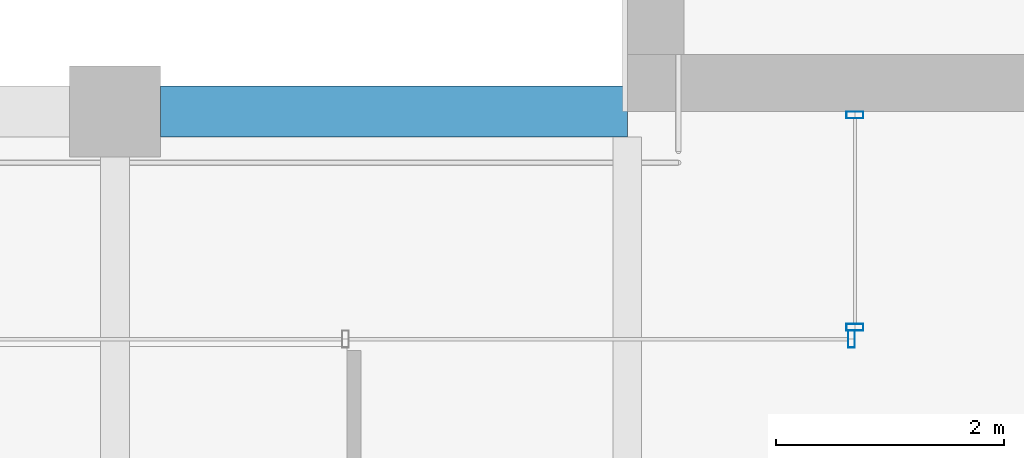
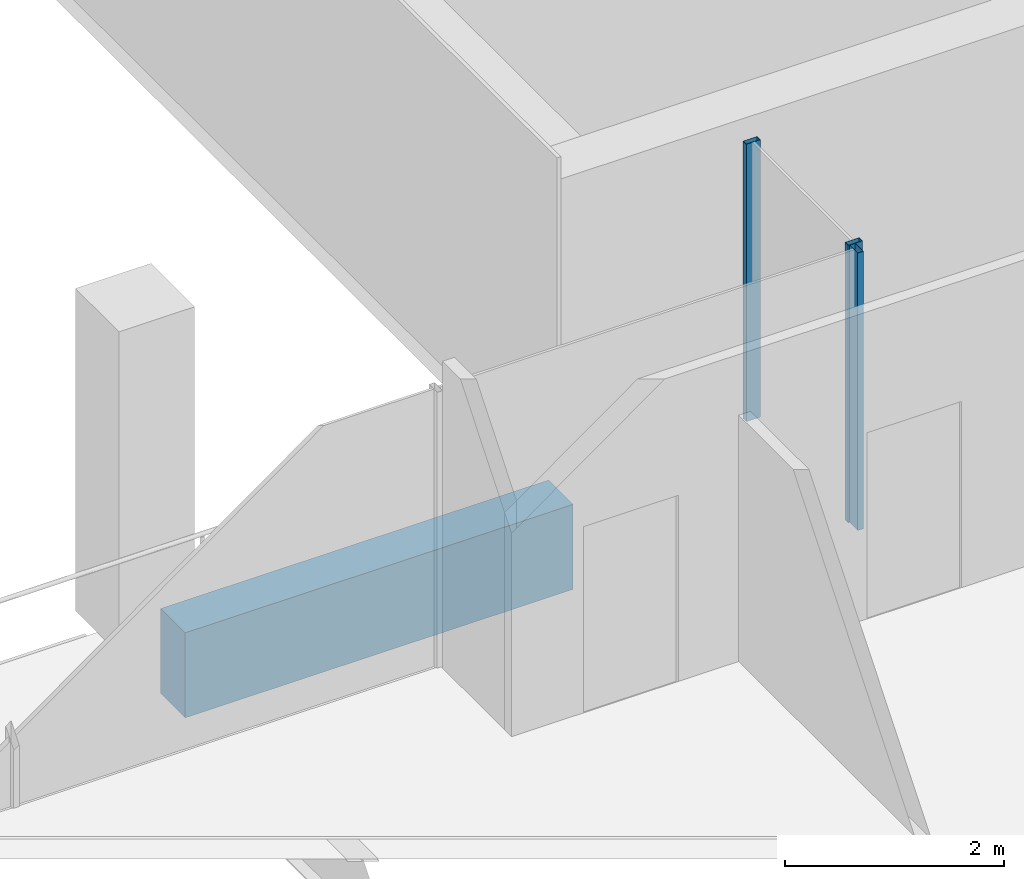
# One storey, part 6 of 30: 3 members, 1 beam, 2 elements without a shape of their own.
"""IFC4 building model written with IfcOpenShell, lengths in metres."""

from ifc_helpers import new_model, si_unit, direction, frame, origin, origin_2d, place, context, subcontext, project, spatial, rectangle, hollow_rectangle, extrude, material, material_profile, profile_set, type_object, element, aggregate, save


model = new_model("IFC4")

# Units and contexts
model_context = context("Model", 3, precision=1e-05, world=origin(), true_north=direction((0.0, 1.0)))
body_context = subcontext(model_context, "Body", "Model", "MODEL_VIEW")
ifc_project = project(units=[si_unit("LENGTHUNIT", "METRE"), si_unit("AREAUNIT", "SQUARE_METRE"), si_unit("VOLUMEUNIT", "CUBIC_METRE"), si_unit("PLANEANGLEUNIT", "RADIAN"), si_unit("MASSUNIT", "GRAM", prefix="KILO")], contexts=[model_context])

# Site, building, storey
site_placement = place(None, origin())
site = spatial("IfcSite", under=ifc_project, at=site_placement, CompositionType="ELEMENT")
building_placement = place(site_placement, origin())
building = spatial("IfcBuilding", under=site, at=building_placement, Name="Altepetl Exchange Towers", CompositionType="ELEMENT")
storey_placement = place(building_placement, frame((0.0, 0.0, 235.199951171875)))
storey = spatial("IfcBuildingStorey", under=building, at=storey_placement, Name="L60", CompositionType="ELEMENT", Elevation=235.199951171875)

# Curtain wall, members
ifc_material_1 = material(Name="Aluminium 6063-T6 glazing", Category="aluminium")
curtain_wall_type = type_object("IfcCurtainWallType", Name="Loggia glazing system", PredefinedType="NOTDEFINED", material=ifc_material_1)
curtain_wall_1_placement = place(storey_placement, origin())
curtain_wall_1 = element("IfcCurtainWall", 1, at=curtain_wall_1_placement, inside=storey, type_object=curtain_wall_type, Name="CW1 run", PredefinedType="NOTDEFINED")
ifc_material_2 = material(Name="Aluminium 6063-T6", Category="aluminium")
ifc_material_profile_1 = material_profile(ifc_material_2, hollow_rectangle(XDim=0.06005859375, YDim=0.14990234375, WallThickness=0.0029296875, at=origin_2d()), Name="Mullion 60x150 aluminium")
ifc_profile_set_1 = profile_set([ifc_material_profile_1], Name="Aluminium 6063-T6")
member_type = type_object("IfcMemberType", Name="Mullion 60x150 aluminium", PredefinedType="MULLION", material=ifc_profile_set_1)
member_1_placement = place(storey_placement, frame((42.5, 40.469970703125, 0.0), z_axis=(0.0, 0.0, 1.0), x_axis=(0.0, -1.0, 0.0)))
member_1 = element("IfcMember", 2, at=member_1_placement, type_object=member_type, Name="MU1 mullion", PredefinedType="MULLION", context=body_context, shape_type="SweptSolid", body=[
    extrude(hollow_rectangle(XDim=0.06005859375, YDim=0.14990234375, WallThickness=0.0029296875, at=origin_2d()), origin(), (0.0, 0.0, 1.0), 3.10009765625),
])
member_2_placement = place(storey_placement, frame((42.5, 38.60498046875, 0.0), z_axis=(0.0, 0.0, 1.0), x_axis=(0.0, -1.0, 0.0)))
member_2 = element("IfcMember", 3, at=member_2_placement, type_object=member_type, Name="MU1 mullion", PredefinedType="MULLION", context=body_context, shape_type="SweptSolid", body=[
    extrude(hollow_rectangle(XDim=0.06005859375, YDim=0.14990234375, WallThickness=0.0029296875, at=origin_2d()), origin(), (0.0, 0.0, 1.0), 3.10009765625),
])
aggregate(curtain_wall_1, [member_1, member_2])

# Curtain wall, member
curtain_wall_2_placement = place(storey_placement, origin())
curtain_wall_2 = element("IfcCurtainWall", 4, at=curtain_wall_2_placement, inside=storey, type_object=curtain_wall_type, Name="CW1 run", PredefinedType="NOTDEFINED")
member_3_placement = place(storey_placement, frame((42.469970703125, 38.5, 0.0), z_axis=(0.0, 0.0, 1.0), x_axis=(-1.0, 0.0, 0.0)))
member_3 = element("IfcMember", 5, at=member_3_placement, type_object=member_type, Name="MU1 mullion", PredefinedType="MULLION", context=body_context, shape_type="SweptSolid", body=[
    extrude(hollow_rectangle(XDim=0.06005859375, YDim=0.14990234375, WallThickness=0.0029296875, at=origin_2d()), origin(), (0.0, 0.0, 1.0), 3.10009765625),
])
aggregate(curtain_wall_2, [member_3])

# Beam
ifc_material_3 = material(Name="Concrete C50/60 precast with tezontle facing", Category="concrete")
ifc_material_profile_2 = material_profile(ifc_material_3, rectangle(XDim=0.449951171875, YDim=0.949951171875, at=origin_2d()), Name="450 x 950")
ifc_profile_set_2 = profile_set([ifc_material_profile_2], Name="Concrete C50/60 precast with tezontle facing")
beam_type = type_object("IfcBeamType", Name="Spandrel beam 450x950 tezontle", PredefinedType="SPANDREL", material=ifc_profile_set_2)
beam_placement = place(storey_placement, frame((40.5, 40.5, -0.625), z_axis=(-1.0, 0.0, 0.0), x_axis=(0.0, -1.0, 0.0)))
element("IfcBeam", 6, at=beam_placement, inside=storey, type_object=beam_type, Name="sp:A:L60:033", PredefinedType="SPANDREL", context=body_context, shape_type="SweptSolid", body=[
    extrude(rectangle(XDim=0.449951171875, YDim=0.949951171875, at=origin_2d()), origin(), (0.0, 0.0, 1.0), 4.10009765625),
])

save(model, "model.ifc")
